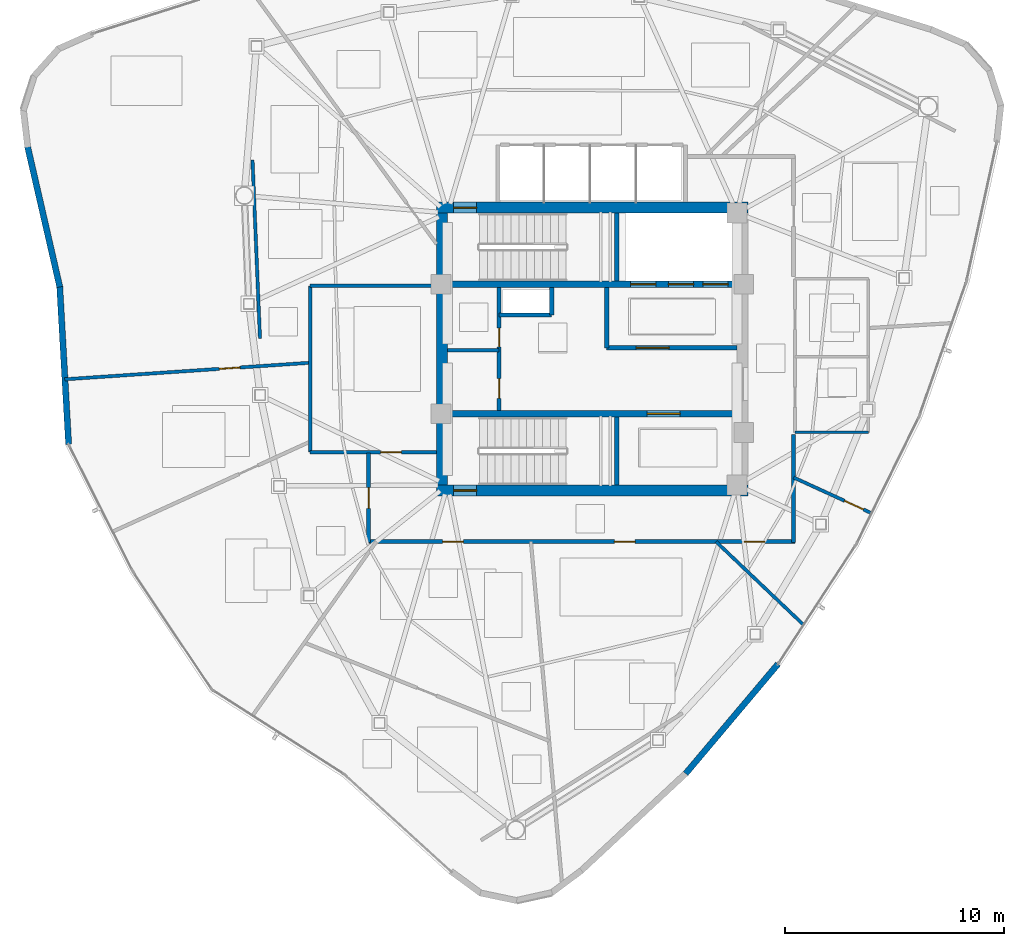
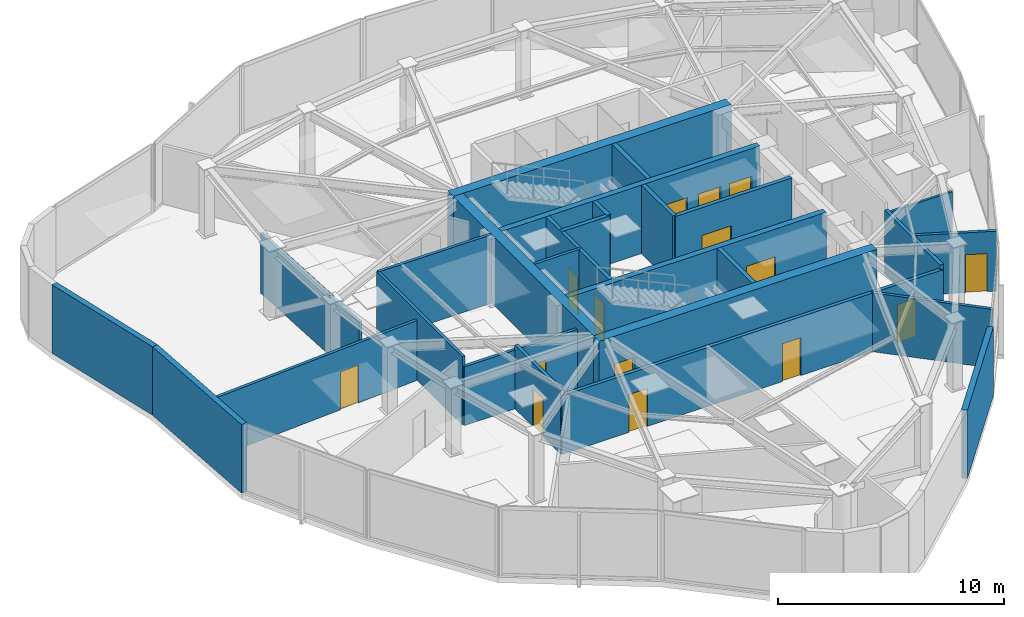
# One storey, part 8 of 13: 27 walls, 16 doors, 16 openings.
"""IFC4 building model written with IfcOpenShell, lengths in metres."""

from ifc_helpers import new_model, si_unit, direction, frame, frame_2d, origin, place, context, subcontext, project, spatial, rectangle, extrude, material, layer, layer_set, type_object, element, fill, save


model = new_model("IFC4")

# Units and contexts
model_context = context("Model", 3, precision=1e-05, world=origin(), true_north=direction((0.0, 1.0)))
body_context = subcontext(model_context, "Body", "Model", "MODEL_VIEW")
ifc_project = project(units=[si_unit("LENGTHUNIT", "METRE"), si_unit("AREAUNIT", "SQUARE_METRE"), si_unit("VOLUMEUNIT", "CUBIC_METRE"), si_unit("PLANEANGLEUNIT", "RADIAN"), si_unit("MASSUNIT", "GRAM", prefix="KILO")], contexts=[model_context])

# Site, building, storey
site_placement = place(None, origin())
site = spatial("IfcSite", under=ifc_project, at=site_placement, CompositionType="ELEMENT")
building_placement = place(site_placement, origin())
building = spatial("IfcBuilding", under=site, at=building_placement, Name="Tavelor Broadcast Tower", CompositionType="ELEMENT")
storey_placement = place(building_placement, frame((0.0, 0.0, 297.5)))
storey = spatial("IfcBuildingStorey", under=building, at=storey_placement, Name="L71", CompositionType="ELEMENT", Elevation=297.5)

# Wall, opening, door
ifc_material_1 = material(Name="Concrete C50/60", Category="concrete")
ifc_layer_1 = layer(ifc_material_1, 0.5)
ifc_layer_set_1 = layer_set([ifc_layer_1], Name="Concrete C50/60")
wall_type_1 = type_object("IfcWallType", Name="Core Shear Wall 500 mm", PredefinedType="SHEAR", material=ifc_layer_set_1)
wall_1_placement = place(storey_placement, frame((42.89990234375, 51.449951171875, 0.0), z_axis=(0.0, 0.0, 1.0), x_axis=(1.0, 0.0, 0.0)))
wall_1 = element("IfcWall", 1, at=wall_1_placement, inside=storey, type_object=wall_type_1, Name="L71 Central Core Shear Wall N", PredefinedType="SHEAR", context=body_context, shape_type="SweptSolid", body=[
    extrude(rectangle(XDim=14.2001953125, YDim=0.5, at=frame_2d((7.10009765625, 0.0))), origin(), (0.0, 0.0, 1.0), 3.699951171875),
])
opening_1_placement = place(wall_1_placement, frame((0.780029296875, 0.0, 0.0)))
opening_1 = element("IfcOpeningElement", 2, at=opening_1_placement, cuts=wall_1, Name="Opening DR11", PredefinedType="OPENING", context=body_context, shape_type="SweptSolid", body=[
    extrude(rectangle(XDim=1.050048828125, YDim=2.199951171875, at=frame_2d((0.52490234375, 1.10009765625))), frame((0.0, 0.260009765625, 0.0), z_axis=(0.0, -1.0, 0.0), x_axis=(1.0, 0.0, 0.0)), (0.0, 0.0, 1.0), 0.52001953125),
])
ifc_material_2 = material(Name="Steel S355", Category="steel")
door_type_1 = type_object("IfcDoorType", Name="Stair Core Fire Escape Door 1050x2200", OperationType="NOTDEFINED", PredefinedType="DOOR", material=ifc_material_2)
door_1_placement = place(opening_1_placement, origin())
door_1 = element("IfcDoor", 3, at=door_1_placement, inside=storey, type_object=door_type_1, Name="L71 Stair ST1 Protected Exit Door", OperationType="SINGLE_SWING_LEFT", OverallHeight=2.199951171875, OverallWidth=1.050048828125, PredefinedType="DOOR", context=body_context, shape_type="SweptSolid", body=[
    extrude(rectangle(XDim=1.050048828125, YDim=2.199951171875, at=frame_2d((0.52490234375, 1.10009765625))), frame((0.0, 0.02490234375, 0.0), z_axis=(0.0, -1.0, 0.0), x_axis=(1.0, 0.0, 0.0)), (0.0, 0.0, 1.0), 0.050048828125),
])
fill(opening_1, door_1)

wall_2_placement = place(storey_placement, frame((42.89990234375, 38.550048828125, 0.0), z_axis=(0.0, 0.0, 1.0), x_axis=(1.0, 0.0, 0.0)))
wall_2 = element("IfcWall", 4, at=wall_2_placement, inside=storey, type_object=wall_type_1, Name="L71 Central Core Shear Wall S", PredefinedType="SHEAR", context=body_context, shape_type="SweptSolid", body=[
    extrude(rectangle(XDim=14.2001953125, YDim=0.5, at=frame_2d((7.10009765625, 0.0))), origin(), (0.0, 0.0, 1.0), 3.699951171875),
])
opening_2_placement = place(wall_2_placement, frame((0.780029296875, 0.0, 0.0)))
opening_2 = element("IfcOpeningElement", 5, at=opening_2_placement, cuts=wall_2, Name="Opening DR11", PredefinedType="OPENING", context=body_context, shape_type="SweptSolid", body=[
    extrude(rectangle(XDim=1.050048828125, YDim=2.199951171875, at=frame_2d((0.52490234375, 1.10009765625))), frame((0.0, 0.260009765625, 0.0), z_axis=(0.0, -1.0, 0.0), x_axis=(1.0, 0.0, 0.0)), (0.0, 0.0, 1.0), 0.52001953125),
])
door_2_placement = place(opening_2_placement, origin())
door_2 = element("IfcDoor", 6, at=door_2_placement, inside=storey, type_object=door_type_1, Name="L71 Stair ST2 Protected Exit Door", OperationType="SINGLE_SWING_RIGHT", OverallHeight=2.199951171875, OverallWidth=1.050048828125, PredefinedType="DOOR", context=body_context, shape_type="SweptSolid", body=[
    extrude(rectangle(XDim=1.050048828125, YDim=2.199951171875, at=frame_2d((0.52490234375, 1.10009765625))), frame((0.0, 0.02490234375, 0.0), z_axis=(0.0, -1.0, 0.0), x_axis=(1.0, 0.0, 0.0)), (0.0, 0.0, 1.0), 0.050048828125),
])
fill(opening_2, door_2)

# Wall
wall_3_placement = place(storey_placement, frame((43.14990234375, 38.800048828125, 0.0), z_axis=(0.0, 0.0, 1.0), x_axis=(0.0, 1.0, 0.0)))
element("IfcWall", 7, at=wall_3_placement, inside=storey, type_object=wall_type_1, Name="L71 Central Core Shear Wall W", PredefinedType="SHEAR", context=body_context, shape_type="SweptSolid", body=[
    extrude(rectangle(XDim=12.39990234375, YDim=0.5, at=frame_2d((6.199951171875, 0.0))), origin(), (0.0, 0.0, 1.0), 3.699951171875),
])

# Wall, openings, doors
ifc_layer_2 = layer(ifc_material_1, 0.300048828125)
ifc_layer_set_2 = layer_set([ifc_layer_2], Name="Concrete C50/60")
wall_type_2 = type_object("IfcWallType", Name="Core Spine Shear Wall 300 mm C50", PredefinedType="SHEAR", material=ifc_layer_set_2)
wall_4_placement = place(storey_placement, frame((43.39990234375, 47.949951171875, 0.0), z_axis=(0.0, 0.0, 1.0), x_axis=(1.0, 0.0, 0.0)))
wall_4 = element("IfcWall", 8, at=wall_4_placement, inside=storey, type_object=wall_type_2, Name="L71 Central Core Shear Wall SP1", PredefinedType="SHEAR", context=body_context, shape_type="SweptSolid", body=[
    extrude(rectangle(XDim=13.2001953125, YDim=0.300048828125, at=frame_2d((6.60009765625, 0.0))), origin(), (0.0, 0.0, 1.0), 3.699951171875),
])
opening_3_placement = place(wall_4_placement, frame((8.344970703125, 0.0, 0.0)))
opening_3 = element("IfcOpeningElement", 9, at=opening_3_placement, cuts=wall_4, Name="Opening LD02", PredefinedType="OPENING", context=body_context, shape_type="SweptSolid", body=[
    extrude(rectangle(XDim=1.14990234375, YDim=2.199951171875, at=frame_2d((0.574951171875, 1.10009765625))), frame((0.0, 0.16015625, 0.0), z_axis=(0.0, -1.0, 0.0), x_axis=(1.0, 0.0, 0.0)), (0.0, 0.0, 1.0), 0.320068359375),
])
opening_4_placement = place(wall_4_placement, frame((10.06494140625, 0.0, 0.0)))
opening_4 = element("IfcOpeningElement", 10, at=opening_4_placement, cuts=wall_4, Name="Opening LD02", PredefinedType="OPENING", context=body_context, shape_type="SweptSolid", body=[
    extrude(rectangle(XDim=1.14990234375, YDim=2.199951171875, at=frame_2d((0.574951171875, 1.10009765625))), frame((0.0, 0.16015625, 0.0), z_axis=(0.0, -1.0, 0.0), x_axis=(1.0, 0.0, 0.0)), (0.0, 0.0, 1.0), 0.320068359375),
])
opening_5_placement = place(wall_4_placement, frame((11.64501953125, 0.0, 0.0)))
opening_5 = element("IfcOpeningElement", 11, at=opening_5_placement, cuts=wall_4, Name="Opening LD03", PredefinedType="OPENING", context=body_context, shape_type="SweptSolid", body=[
    extrude(rectangle(XDim=1.14990234375, YDim=2.199951171875, at=frame_2d((0.574951171875, 1.10009765625))), frame((0.0, 0.16015625, 0.0), z_axis=(0.0, -1.0, 0.0), x_axis=(1.0, 0.0, 0.0)), (0.0, 0.0, 1.0), 0.320068359375),
])
ifc_material_3 = material(Name="Reinforced Brushed Stainless Steel", Category="concrete")
door_type_2 = type_object("IfcDoorType", Name="Broadcast Goods Lift Sliding Landing Door 1250x2200", OperationType="NOTDEFINED", PredefinedType="DOOR", material=ifc_material_3)
door_3_placement = place(opening_5_placement, origin())
door_3 = element("IfcDoor", 12, at=door_3_placement, inside=storey, type_object=door_type_2, Name="L71 Lift SVL1 Sliding Landing Door", OperationType="SLIDING_TO_LEFT", OverallHeight=2.199951171875, OverallWidth=1.14990234375, PredefinedType="DOOR", context=body_context, shape_type="SweptSolid", body=[
    extrude(rectangle(XDim=1.14990234375, YDim=2.199951171875, at=frame_2d((0.574951171875, 1.10009765625))), frame((0.0, 0.02490234375, 0.0), z_axis=(0.0, -1.0, 0.0), x_axis=(1.0, 0.0, 0.0)), (0.0, 0.0, 1.0), 0.050048828125),
])
fill(opening_5, door_3)
ifc_material_4 = material(Name="Fire-Rated Stainless Steel", Category="steel")
door_type_3 = type_object("IfcDoorType", Name="Firefighting Lift Sliding Landing Door 1200x2200", OperationType="NOTDEFINED", PredefinedType="DOOR", material=ifc_material_4)
door_4_placement = place(opening_3_placement, origin())
door_4 = element("IfcDoor", 13, at=door_4_placement, inside=storey, type_object=door_type_3, Name="L71 Lift FFL1 Sliding Landing Door", OperationType="SLIDING_TO_LEFT", OverallHeight=2.199951171875, OverallWidth=1.14990234375, PredefinedType="DOOR", context=body_context, shape_type="SweptSolid", body=[
    extrude(rectangle(XDim=1.14990234375, YDim=2.199951171875, at=frame_2d((0.574951171875, 1.10009765625))), frame((0.0, 0.02490234375, 0.0), z_axis=(0.0, -1.0, 0.0), x_axis=(1.0, 0.0, 0.0)), (0.0, 0.0, 1.0), 0.050048828125),
])
fill(opening_3, door_4)
door_5_placement = place(opening_4_placement, origin())
door_5 = element("IfcDoor", 14, at=door_5_placement, inside=storey, type_object=door_type_3, Name="L71 Lift FFL2 Sliding Landing Door", OperationType="SLIDING_TO_LEFT", OverallHeight=2.199951171875, OverallWidth=1.14990234375, PredefinedType="DOOR", context=body_context, shape_type="SweptSolid", body=[
    extrude(rectangle(XDim=1.14990234375, YDim=2.199951171875, at=frame_2d((0.574951171875, 1.10009765625))), frame((0.0, 0.02490234375, 0.0), z_axis=(0.0, -1.0, 0.0), x_axis=(1.0, 0.0, 0.0)), (0.0, 0.0, 1.0), 0.050048828125),
])
fill(opening_4, door_5)

# Wall, opening, door
wall_5_placement = place(storey_placement, frame((43.39990234375, 42.050048828125, 0.0), z_axis=(0.0, 0.0, 1.0), x_axis=(1.0, 0.0, 0.0)))
wall_5 = element("IfcWall", 15, at=wall_5_placement, inside=storey, type_object=wall_type_2, Name="L71 Central Core Shear Wall SP2", PredefinedType="SHEAR", context=body_context, shape_type="SweptSolid", body=[
    extrude(rectangle(XDim=13.2001953125, YDim=0.300048828125, at=frame_2d((6.60009765625, 0.0))), origin(), (0.0, 0.0, 1.0), 3.699951171875),
])
opening_6_placement = place(wall_5_placement, frame((9.10009765625, 0.0, 0.0)))
opening_6 = element("IfcOpeningElement", 16, at=opening_6_placement, cuts=wall_5, Name="Opening DR14", PredefinedType="OPENING", context=body_context, shape_type="SweptSolid", body=[
    extrude(rectangle(XDim=1.5, YDim=2.199951171875, at=frame_2d((0.75, 1.10009765625))), frame((0.0, 0.16015625, 0.0), z_axis=(0.0, -1.0, 0.0), x_axis=(1.0, 0.0, 0.0)), (0.0, 0.0, 1.0), 0.320068359375),
])
door_type_4 = type_object("IfcDoorType", Name="Firefighting Lobby Double Fire Door 1500x2200", OperationType="NOTDEFINED", PredefinedType="DOOR", material=ifc_material_2)
door_6_placement = place(opening_6_placement, origin())
door_6 = element("IfcDoor", 17, at=door_6_placement, inside=storey, type_object=door_type_4, Name="L71 Reclaimed South Core Vestibule Door", OperationType="SINGLE_SWING_RIGHT", OverallHeight=2.199951171875, OverallWidth=1.5, PredefinedType="DOOR", context=body_context, shape_type="SweptSolid", body=[
    extrude(rectangle(XDim=1.5, YDim=2.199951171875, at=frame_2d((0.75, 1.10009765625))), frame((0.0, 0.02490234375, 0.0), z_axis=(0.0, -1.0, 0.0), x_axis=(1.0, 0.0, 0.0)), (0.0, 0.0, 1.0), 0.050048828125),
])
fill(opening_6, door_6)

# Wall, openings, doors
ifc_material_5 = material(Name="Calcium Silicate Fire Board 180 mm", Category="gypsum")
ifc_layer_3 = layer(ifc_material_5, 0.179931640625)
ifc_layer_set_3 = layer_set([ifc_layer_3], Name="Calcium Silicate Fire Board 180 mm")
wall_type_3 = type_object("IfcWallType", Name="Fire-Rated Corridor Partition Wall 180 mm", PredefinedType="PARTITIONING", material=ifc_layer_set_3)
wall_6_placement = place(storey_placement, frame((45.75, 42.199951171875, 0.0), z_axis=(0.0, 0.0, 1.0), x_axis=(0.0, 1.0, 0.0)))
wall_6 = element("IfcWall", 18, at=wall_6_placement, inside=storey, type_object=wall_type_3, Name="L71 Core West Service East Wall", PredefinedType="PARTITIONING", context=body_context, shape_type="SweptSolid", body=[
    extrude(rectangle(XDim=5.60009765625, YDim=0.179931640625, at=frame_2d((2.800048828125, 0.0))), origin(), (0.0, 0.0, 1.0), 3.699951171875),
])
opening_7_placement = place(wall_6_placement, frame((0.550048828125, 0.0, 0.0)))
opening_7 = element("IfcOpeningElement", 19, at=opening_7_placement, cuts=wall_6, Name="Opening DR32", PredefinedType="OPENING", context=body_context, shape_type="SweptSolid", body=[
    extrude(rectangle(XDim=0.89990234375, YDim=2.050048828125, at=frame_2d((0.449951171875, 1.02490234375))), frame((0.0, 0.10009765625, 0.0), z_axis=(0.0, -1.0, 0.0), x_axis=(1.0, 0.0, 0.0)), (0.0, 0.0, 1.0), 0.199951171875),
])
opening_8_placement = place(wall_6_placement, frame((2.89990234375, 0.0, 0.0)))
opening_8 = element("IfcOpeningElement", 20, at=opening_8_placement, cuts=wall_6, Name="Opening DR36", PredefinedType="OPENING", context=body_context, shape_type="SweptSolid", body=[
    extrude(rectangle(XDim=0.85009765625, YDim=2.050048828125, at=frame_2d((0.425048828125, 1.02490234375))), frame((0.0, 0.10009765625, 0.0), z_axis=(0.0, -1.0, 0.0), x_axis=(1.0, 0.0, 0.0)), (0.0, 0.0, 1.0), 0.199951171875),
])
ifc_material_6 = material(Name="Timber Solid Core Hardwood", Category="wood")
door_type_5 = type_object("IfcDoorType", Name="Accessible Washroom Door 900x2050", OperationType="NOTDEFINED", PredefinedType="DOOR", material=ifc_material_6)
door_7_placement = place(opening_7_placement, origin())
door_7 = element("IfcDoor", 21, at=door_7_placement, inside=storey, type_object=door_type_5, Name="L71 Core Accessible WC Door", OperationType="SINGLE_SWING_LEFT", OverallHeight=2.050048828125, OverallWidth=0.89990234375, PredefinedType="DOOR", context=body_context, shape_type="SweptSolid", body=[
    extrude(rectangle(XDim=0.89990234375, YDim=2.050048828125, at=frame_2d((0.449951171875, 1.02490234375))), frame((0.0, 0.02490234375, 0.0), z_axis=(0.0, -1.0, 0.0), x_axis=(1.0, 0.0, 0.0)), (0.0, 0.0, 1.0), 0.050048828125),
])
fill(opening_7, door_7)
door_type_6 = type_object("IfcDoorType", Name="Service Room Fire Door 850x2050", OperationType="NOTDEFINED", PredefinedType="DOOR", material=ifc_material_2)
door_8_placement = place(opening_8_placement, origin())
door_8 = element("IfcDoor", 22, at=door_8_placement, inside=storey, type_object=door_type_6, Name="L71 Core Cleaner Store Door", OperationType="SINGLE_SWING_RIGHT", OverallHeight=2.050048828125, OverallWidth=0.85009765625, PredefinedType="DOOR", context=body_context, shape_type="SweptSolid", body=[
    extrude(rectangle(XDim=0.85009765625, YDim=2.050048828125, at=frame_2d((0.425048828125, 1.02490234375))), frame((0.0, 0.02490234375, 0.0), z_axis=(0.0, -1.0, 0.0), x_axis=(1.0, 0.0, 0.0)), (0.0, 0.0, 1.0), 0.050048828125),
])
fill(opening_8, door_8)

# Wall
wall_7_placement = place(storey_placement, frame((59.179931640625, 41.10009765625, 0.0), z_axis=(0.0, 0.0, 1.0), x_axis=(0.0, -1.0, 0.0)))
element("IfcWall", 23, at=wall_7_placement, inside=storey, type_object=wall_type_3, Name="L71 Corridor Compartment Wall 03", PredefinedType="PARTITIONING", context=body_context, shape_type="SweptSolid", body=[
    extrude(rectangle(XDim=4.93017578125, YDim=0.179931640625, at=frame_2d((2.465087890625, 0.0))), origin(), (0.0, 0.0, 1.0), 3.43505859375),
])

# Wall, openings, doors
wall_8_placement = place(storey_placement, frame((59.22998046875, 36.219970703125, 0.0), z_axis=(0.0, 0.0, 1.0), x_axis=(-1.0, 0.0, 0.0)))
wall_8 = element("IfcWall", 24, at=wall_8_placement, inside=storey, type_object=wall_type_3, Name="L71 Corridor Compartment Wall 04", PredefinedType="PARTITIONING", context=body_context, shape_type="SweptSolid", body=[
    extrude(rectangle(XDim=19.47998046875, YDim=0.179931640625, at=frame_2d((9.739990234375, 0.0))), origin(), (0.0, 0.0, 1.0), 3.175048828125),
])
opening_9_placement = place(wall_8_placement, frame((1.3623046875, 0.0, 0.0)))
opening_9 = element("IfcOpeningElement", 25, at=opening_9_placement, cuts=wall_8, Name="Opening DR18", PredefinedType="OPENING", context=body_context, shape_type="SweptSolid", body=[
    extrude(rectangle(XDim=0.949951171875, YDim=2.050048828125, at=frame_2d((0.47509765625, 1.02490234375))), frame((0.0, 0.10009765625, 0.0), z_axis=(0.0, -1.0, 0.0), x_axis=(1.0, 0.0, 0.0)), (0.0, 0.0, 1.0), 0.199951171875),
])
opening_10_placement = place(wall_8_placement, frame((7.275634765625, 0.0, 0.0)))
opening_10 = element("IfcOpeningElement", 26, at=opening_10_placement, cuts=wall_8, Name="Opening DR18", PredefinedType="OPENING", context=body_context, shape_type="SweptSolid", body=[
    extrude(rectangle(XDim=0.949951171875, YDim=2.050048828125, at=frame_2d((0.47509765625, 1.02490234375))), frame((0.0, 0.10009765625, 0.0), z_axis=(0.0, -1.0, 0.0), x_axis=(1.0, 0.0, 0.0)), (0.0, 0.0, 1.0), 0.199951171875),
])
opening_11_placement = place(wall_8_placement, frame((15.106689453125, 0.0, 0.0)))
opening_11 = element("IfcOpeningElement", 27, at=opening_11_placement, cuts=wall_8, Name="Opening DR18", PredefinedType="OPENING", context=body_context, shape_type="SweptSolid", body=[
    extrude(rectangle(XDim=0.949951171875, YDim=2.050048828125, at=frame_2d((0.47509765625, 1.02490234375))), frame((0.0, 0.10009765625, 0.0), z_axis=(0.0, -1.0, 0.0), x_axis=(1.0, 0.0, 0.0)), (0.0, 0.0, 1.0), 0.199951171875),
])
door_type_7 = type_object("IfcDoorType", Name="Corridor Rated Compartment Door 950x2050", OperationType="NOTDEFINED", PredefinedType="DOOR", material=ifc_material_6)
door_9_placement = place(opening_9_placement, origin())
door_9 = element("IfcDoor", 28, at=door_9_placement, inside=storey, type_object=door_type_7, Name="L71 Audio Dubbing Studio Door R0", OperationType="SINGLE_SWING_RIGHT", OverallHeight=2.050048828125, OverallWidth=0.949951171875, PredefinedType="DOOR", context=body_context, shape_type="SweptSolid", body=[
    extrude(rectangle(XDim=0.949951171875, YDim=2.050048828125, at=frame_2d((0.47509765625, 1.02490234375))), frame((0.0, 0.02490234375, 0.0), z_axis=(0.0, -1.0, 0.0), x_axis=(1.0, 0.0, 0.0)), (0.0, 0.0, 1.0), 0.050048828125),
])
fill(opening_9, door_9)
door_10_placement = place(opening_10_placement, origin())
door_10 = element("IfcDoor", 29, at=door_10_placement, inside=storey, type_object=door_type_7, Name="L71 Podcast Recording Studio Door R1", OperationType="SINGLE_SWING_LEFT", OverallHeight=2.050048828125, OverallWidth=0.949951171875, PredefinedType="DOOR", context=body_context, shape_type="SweptSolid", body=[
    extrude(rectangle(XDim=0.949951171875, YDim=2.050048828125, at=frame_2d((0.47509765625, 1.02490234375))), frame((0.0, 0.02490234375, 0.0), z_axis=(0.0, -1.0, 0.0), x_axis=(1.0, 0.0, 0.0)), (0.0, 0.0, 1.0), 0.050048828125),
])
fill(opening_10, door_10)
door_11_placement = place(opening_11_placement, origin())
door_11 = element("IfcDoor", 30, at=door_11_placement, inside=storey, type_object=door_type_7, Name="L71 Broadcast Crew Room Door R9", OperationType="SINGLE_SWING_RIGHT", OverallHeight=2.050048828125, OverallWidth=0.949951171875, PredefinedType="DOOR", context=body_context, shape_type="SweptSolid", body=[
    extrude(rectangle(XDim=0.949951171875, YDim=2.050048828125, at=frame_2d((0.47509765625, 1.02490234375))), frame((0.0, 0.02490234375, 0.0), z_axis=(0.0, -1.0, 0.0), x_axis=(1.0, 0.0, 0.0)), (0.0, 0.0, 1.0), 0.050048828125),
])
fill(opening_11, door_11)

# Wall, opening, door
wall_9_placement = place(storey_placement, frame((39.800048828125, 36.169921875, 0.0), z_axis=(0.0, 0.0, 1.0), x_axis=(0.0, 1.0, 0.0)))
wall_9 = element("IfcWall", 31, at=wall_9_placement, inside=storey, type_object=wall_type_3, Name="L71 Corridor Compartment Wall 05", PredefinedType="PARTITIONING", context=body_context, shape_type="SweptSolid", body=[
    extrude(rectangle(XDim=4.080078125, YDim=0.179931640625, at=frame_2d((2.0400390625, 0.0))), origin(), (0.0, 0.0, 1.0), 3.43505859375),
])
opening_12_placement = place(wall_9_placement, frame((1.56494140625, 0.0, 0.0)))
opening_12 = element("IfcOpeningElement", 32, at=opening_12_placement, cuts=wall_9, Name="Opening DR18", PredefinedType="OPENING", context=body_context, shape_type="SweptSolid", body=[
    extrude(rectangle(XDim=0.949951171875, YDim=2.050048828125, at=frame_2d((0.47509765625, 1.02490234375))), frame((0.0, 0.10009765625, 0.0), z_axis=(0.0, -1.0, 0.0), x_axis=(1.0, 0.0, 0.0)), (0.0, 0.0, 1.0), 0.199951171875),
])
door_12_placement = place(opening_12_placement, origin())
door_12 = element("IfcDoor", 33, at=door_12_placement, inside=storey, type_object=door_type_7, Name="L71 Sound Foley Studio Door R3", OperationType="SINGLE_SWING_LEFT", OverallHeight=2.050048828125, OverallWidth=0.949951171875, PredefinedType="DOOR", context=body_context, shape_type="SweptSolid", body=[
    extrude(rectangle(XDim=0.949951171875, YDim=2.050048828125, at=frame_2d((0.47509765625, 1.02490234375))), frame((0.0, 0.02490234375, 0.0), z_axis=(0.0, -1.0, 0.0), x_axis=(1.0, 0.0, 0.0)), (0.0, 0.0, 1.0), 0.050048828125),
])
fill(opening_12, door_12)

# Walls
ifc_material_7 = material(Name="Precast Concrete C40/50", Category="concrete")
ifc_layer_4 = layer(ifc_material_7, 0.280029296875)
ifc_layer_set_4 = layer_set([ifc_layer_4], Name="Precast Concrete C40/50")
wall_type_4 = type_object("IfcWallType", Name="Insulated Precast Terracotta Facade Wall 280 mm", PredefinedType="STANDARD", material=ifc_layer_set_4)
wall_10_placement = place(storey_placement, frame((24.253173828125, 54.227783203125, 0.0), z_axis=(0.0, 0.0, 1.0), x_axis=(0.22363450058, -0.974673078601, 0.0)))
element("IfcWall", 34, at=wall_10_placement, inside=storey, type_object=wall_type_4, Name="L71 Rounded Corner Structural Cladding Pier 05", PredefinedType="STANDARD", context=body_context, shape_type="SweptSolid", body=[
    extrude(rectangle(XDim=6.5654296875, YDim=0.280029296875, at=frame_2d((3.28271484375, 0.0))), origin(), (0.0, 0.0, 1.0), 3.699951171875),
])
wall_11_placement = place(storey_placement, frame((25.71728515625, 47.858154296875, 0.0), z_axis=(0.0, 0.0, 1.0), x_axis=(0.056442668845, -0.998405841897, 0.0)))
element("IfcWall", 35, at=wall_11_placement, inside=storey, type_object=wall_type_4, Name="L71 Rounded Corner Structural Cladding Pier 06", PredefinedType="STANDARD", context=body_context, shape_type="SweptSolid", body=[
    extrude(rectangle(XDim=7.21484375, YDim=0.280029296875, at=frame_2d((3.607421875, 0.0))), origin(), (0.0, 0.0, 1.0), 3.699951171875),
])
wall_12_placement = place(storey_placement, frame((54.254150390625, 25.64208984375, 0.0), z_axis=(0.0, 0.0, 1.0), x_axis=(0.644478610534, 0.764622338521, 0.0)))
element("IfcWall", 36, at=wall_12_placement, inside=storey, type_object=wall_type_4, Name="L71 Rounded Corner Structural Cladding Pier 16", PredefinedType="STANDARD", context=body_context, shape_type="SweptSolid", body=[
    extrude(rectangle(XDim=6.533203125, YDim=0.280029296875, at=frame_2d((3.2666015625, 0.0))), origin(), (0.0, 0.0, 1.0), 3.699951171875),
])
ifc_material_8 = material(Name="Gypsum Acoustic Plasterboard 150 mm", Category="gypsum")
ifc_layer_5 = layer(ifc_material_8, 0.14990234375)
ifc_layer_set_5 = layer_set([ifc_layer_5], Name="Gypsum Acoustic Plasterboard 150 mm")
wall_type_5 = type_object("IfcWallType", Name="Interior Acoustic Partition Wall 150 mm", PredefinedType="PARTITIONING", material=ifc_layer_set_5)
wall_13_placement = place(storey_placement, frame((43.39990234375, 44.949951171875, 0.0), z_axis=(0.0, 0.0, 1.0), x_axis=(1.0, 0.0, 0.0)))
element("IfcWall", 37, at=wall_13_placement, inside=storey, type_object=wall_type_5, Name="L71 Core Split Wall A", PredefinedType="PARTITIONING", context=body_context, shape_type="SweptSolid", body=[
    extrude(rectangle(XDim=2.35009765625, YDim=0.14990234375, at=frame_2d((1.175048828125, 0.0))), origin(), (0.0, 0.0, 1.0), 3.699951171875),
])
wall_14_placement = place(storey_placement, frame((34.50732421875, 53.61279296875, 0.0), z_axis=(0.0, 0.0, 1.0), x_axis=(0.041875090182, -0.999122853718, 0.0)))
element("IfcWall", 38, at=wall_14_placement, inside=storey, type_object=wall_type_5, Name="L71 Corner Tube Brace Furring Wall 1", PredefinedType="PARTITIONING", context=body_context, shape_type="SweptSolid", body=[
    extrude(rectangle(XDim=8.138916015625, YDim=0.14990234375, at=frame_2d((4.0693359375, 0.0))), origin(), (0.0, 0.0, 1.0), 3.235107421875),
])

# Wall, opening, door
wall_15_placement = place(storey_placement, frame((37.139892578125, 40.300048828125, 0.0), z_axis=(0.0, 0.0, 1.0), x_axis=(1.0, 0.0, 0.0)))
wall_15 = element("IfcWall", 39, at=wall_15_placement, inside=storey, type_object=wall_type_5, Name="L71 Reclaimed Shaft Pantry South Wall", PredefinedType="PARTITIONING", context=body_context, shape_type="SweptSolid", body=[
    extrude(rectangle(XDim=5.760009765625, YDim=0.14990234375, at=frame_2d((2.8798828125, 0.0))), origin(), (0.0, 0.0, 1.0), 3.175048828125),
])
opening_13_placement = place(wall_15_placement, frame((3.2099609375, 0.0, 0.0)))
opening_13 = element("IfcOpeningElement", 40, at=opening_13_placement, cuts=wall_15, Name="Opening DR18", PredefinedType="OPENING", context=body_context, shape_type="SweptSolid", body=[
    extrude(rectangle(XDim=0.949951171875, YDim=2.050048828125, at=frame_2d((0.47509765625, 1.02490234375))), frame((0.0, 0.0849609375, 0.0), z_axis=(0.0, -1.0, 0.0), x_axis=(1.0, 0.0, 0.0)), (0.0, 0.0, 1.0), 0.169921875),
])
door_13_placement = place(opening_13_placement, origin())
door_13 = element("IfcDoor", 41, at=door_13_placement, inside=storey, type_object=door_type_7, Name="L71 Broadcast IT Patch and Pantry Door", OperationType="SINGLE_SWING_LEFT", OverallHeight=2.050048828125, OverallWidth=0.949951171875, PredefinedType="DOOR", context=body_context, shape_type="SweptSolid", body=[
    extrude(rectangle(XDim=0.949951171875, YDim=2.050048828125, at=frame_2d((0.47509765625, 1.02490234375))), frame((0.0, 0.02490234375, 0.0), z_axis=(0.0, -1.0, 0.0), x_axis=(1.0, 0.0, 0.0)), (0.0, 0.0, 1.0), 0.050048828125),
])
fill(opening_13, door_13)

# Walls
wall_16_placement = place(storey_placement, frame((37.139892578125, 40.300048828125, 0.0), z_axis=(0.0, 0.0, 1.0), x_axis=(0.0, 1.0, 0.0)))
element("IfcWall", 42, at=wall_16_placement, inside=storey, type_object=wall_type_5, Name="L71 Reclaimed Shaft Pantry West Wall", PredefinedType="PARTITIONING", context=body_context, shape_type="SweptSolid", body=[
    extrude(rectangle(XDim=7.579833984375, YDim=0.14990234375, at=frame_2d((3.7900390625, 0.0))), origin(), (0.0, 0.0, 1.0), 3.699951171875),
])
wall_17_placement = place(storey_placement, frame((37.139892578125, 47.8798828125, 0.0), z_axis=(0.0, 0.0, 1.0), x_axis=(1.0, 0.0, 0.0)))
element("IfcWall", 43, at=wall_17_placement, inside=storey, type_object=wall_type_5, Name="L71 Reclaimed Shaft Pantry North Wall", PredefinedType="PARTITIONING", context=body_context, shape_type="SweptSolid", body=[
    extrude(rectangle(XDim=5.760009765625, YDim=0.14990234375, at=frame_2d((2.8798828125, 0.0))), origin(), (0.0, 0.0, 1.0), 3.699951171875),
])
wall_18_placement = place(storey_placement, frame((55.6376953125, 36.219970703125, 0.0), z_axis=(0.0, 0.0, 1.0), x_axis=(0.724833790001, -0.688923781613, 0.0)))
element("IfcWall", 44, at=wall_18_placement, inside=storey, type_object=wall_type_5, Name="L71 Radial Compartment Wall 04", PredefinedType="PARTITIONING", context=body_context, shape_type="SweptSolid", body=[
    extrude(rectangle(XDim=5.5205078125, YDim=0.14990234375, at=frame_2d((2.76025390625, 0.0))), origin(), (0.0, 0.0, 1.0), 3.175048828125),
])

# Wall, opening, door
wall_19_placement = place(storey_placement, frame((59.179931640625, 39.142822265625, 0.0), z_axis=(0.0, 0.0, 1.0), x_axis=(0.909076630741, -0.416628946955, 0.0)))
wall_19 = element("IfcWall", 45, at=wall_19_placement, inside=storey, type_object=wall_type_5, Name="L71 Radial Compartment Wall 05", PredefinedType="PARTITIONING", context=body_context, shape_type="SweptSolid", body=[
    extrude(rectangle(XDim=3.91552734375, YDim=0.14990234375, at=frame_2d((1.957763671875, 0.0))), origin(), (0.0, 0.0, 1.0), 3.235107421875),
])
opening_14_placement = place(wall_19_placement, frame((2.54541015625, 0.0, 0.0)))
opening_14 = element("IfcOpeningElement", 46, at=opening_14_placement, cuts=wall_19, Name="Opening DR18", PredefinedType="OPENING", context=body_context, shape_type="SweptSolid", body=[
    extrude(rectangle(XDim=0.949951171875, YDim=2.050048828125, at=frame_2d((0.47509765625, 1.02490234375))), frame((0.0, 0.0849609375, 0.0), z_axis=(0.0, -1.0, 0.0), x_axis=(1.0, 0.0, 0.0)), (0.0, 0.0, 1.0), 0.169921875),
])
door_14_placement = place(opening_14_placement, origin())
door_14 = element("IfcDoor", 47, at=door_14_placement, inside=storey, type_object=door_type_7, Name="L71 Suite Connecting Door 8", OperationType="SINGLE_SWING_LEFT", OverallHeight=2.050048828125, OverallWidth=0.949951171875, PredefinedType="DOOR", context=body_context, shape_type="SweptSolid", body=[
    extrude(rectangle(XDim=0.949951171875, YDim=2.050048828125, at=frame_2d((0.47509765625, 1.02490234375))), frame((0.0, 0.02490234375, 0.0), z_axis=(0.0, -1.0, 0.0), x_axis=(1.0, 0.0, 0.0)), (0.0, 0.0, 1.0), 0.050048828125),
])
fill(opening_14, door_14)

wall_20_placement = place(storey_placement, frame((37.080078125, 44.370849609375, 0.0), z_axis=(0.0, 0.0, 1.0), x_axis=(-0.997729729575, -0.067345279876, 0.0)))
wall_20 = element("IfcWall", 48, at=wall_20_placement, inside=storey, type_object=wall_type_5, Name="L71 Radial Compartment Wall 10", PredefinedType="PARTITIONING", context=body_context, shape_type="SweptSolid", body=[
    extrude(rectangle(XDim=11.158447265625, YDim=0.14990234375, at=frame_2d((5.5791015625, 0.0))), origin(), (0.0, 0.0, 1.0), 3.235107421875),
])
opening_15_placement = place(wall_20_placement, frame((3.14990234375, 0.0, 0.0)))
opening_15 = element("IfcOpeningElement", 49, at=opening_15_placement, cuts=wall_20, Name="Opening DR18", PredefinedType="OPENING", context=body_context, shape_type="SweptSolid", body=[
    extrude(rectangle(XDim=0.949951171875, YDim=2.050048828125, at=frame_2d((0.47509765625, 1.02490234375))), frame((0.0, 0.0849609375, 0.0), z_axis=(0.0, -1.0, 0.0), x_axis=(1.0, 0.0, 0.0)), (0.0, 0.0, 1.0), 0.169921875),
])
door_15_placement = place(opening_15_placement, origin())
door_15 = element("IfcDoor", 50, at=door_15_placement, inside=storey, type_object=door_type_7, Name="L71 Suite Connecting Door 5", OperationType="SINGLE_SWING_LEFT", OverallHeight=2.050048828125, OverallWidth=0.949951171875, PredefinedType="DOOR", context=body_context, shape_type="SweptSolid", body=[
    extrude(rectangle(XDim=0.949951171875, YDim=2.050048828125, at=frame_2d((0.47509765625, 1.02490234375))), frame((0.0, 0.02490234375, 0.0), z_axis=(0.0, -1.0, 0.0), x_axis=(1.0, 0.0, 0.0)), (0.0, 0.0, 1.0), 0.050048828125),
])
fill(opening_15, door_15)

# Walls
ifc_material_9 = material(Name="Concrete Blockwork 200 mm", Category="masonry")
ifc_layer_6 = layer(ifc_material_9, 0.199951171875)
ifc_layer_set_6 = layer_set([ifc_layer_6], Name="Concrete Blockwork 200 mm")
wall_type_6 = type_object("IfcWallType", Name="Lift and Riser Shaft Enclosure Wall 200 mm", PredefinedType="PARTITIONING", material=ifc_layer_set_6)
wall_21_placement = place(storey_placement, frame((45.75, 46.550048828125, 0.0), z_axis=(0.0, 0.0, 1.0), x_axis=(1.0, 0.0, 0.0)))
element("IfcWall", 51, at=wall_21_placement, inside=storey, type_object=wall_type_6, Name="L71 Riser Shaft South Wall", PredefinedType="PARTITIONING", context=body_context, shape_type="SweptSolid", body=[
    extrude(rectangle(XDim=2.39990234375, YDim=0.199951171875, at=frame_2d((1.199951171875, 0.0))), origin(), (0.0, 0.0, 1.0), 3.699951171875),
])
wall_22_placement = place(storey_placement, frame((48.14990234375, 46.550048828125, 0.0), z_axis=(0.0, 0.0, 1.0), x_axis=(0.0, 1.0, 0.0)))
element("IfcWall", 52, at=wall_22_placement, inside=storey, type_object=wall_type_6, Name="L71 Riser Shaft East Wall", PredefinedType="PARTITIONING", context=body_context, shape_type="SweptSolid", body=[
    extrude(rectangle(XDim=1.25, YDim=0.199951171875, at=frame_2d((0.625, 0.0))), origin(), (0.0, 0.0, 1.0), 3.699951171875),
])

# Wall, opening, door
wall_23_placement = place(storey_placement, frame((50.64990234375, 45.050048828125, 0.0), z_axis=(0.0, 0.0, 1.0), x_axis=(1.0, 0.0, 0.0)))
wall_23 = element("IfcWall", 53, at=wall_23_placement, inside=storey, type_object=wall_type_6, Name="L71 Firefighting Lobby South Wall", PredefinedType="PARTITIONING", context=body_context, shape_type="SweptSolid", body=[
    extrude(rectangle(XDim=5.9501953125, YDim=0.199951171875, at=frame_2d((2.97509765625, 0.0))), origin(), (0.0, 0.0, 1.0), 3.699951171875),
])
opening_16_placement = place(wall_23_placement, frame((1.35009765625, 0.0, 0.0)))
opening_16 = element("IfcOpeningElement", 54, at=opening_16_placement, cuts=wall_23, Name="Opening DR14", PredefinedType="OPENING", context=body_context, shape_type="SweptSolid", body=[
    extrude(rectangle(XDim=1.5, YDim=2.199951171875, at=frame_2d((0.75, 1.10009765625))), frame((0.0, 0.10986328125, 0.0), z_axis=(0.0, -1.0, 0.0), x_axis=(1.0, 0.0, 0.0)), (0.0, 0.0, 1.0), 0.219970703125),
])
door_16_placement = place(opening_16_placement, origin())
door_16 = element("IfcDoor", 55, at=door_16_placement, inside=storey, type_object=door_type_4, Name="L71 Firefighting Lobby Compartment Door", OperationType="SINGLE_SWING_LEFT", OverallHeight=2.199951171875, OverallWidth=1.5, PredefinedType="DOOR", context=body_context, shape_type="SweptSolid", body=[
    extrude(rectangle(XDim=1.5, YDim=2.199951171875, at=frame_2d((0.75, 1.10009765625))), frame((0.0, 0.02490234375, 0.0), z_axis=(0.0, -1.0, 0.0), x_axis=(1.0, 0.0, 0.0)), (0.0, 0.0, 1.0), 0.050048828125),
])
fill(opening_16, door_16)

# Walls
wall_24_placement = place(storey_placement, frame((50.64990234375, 45.050048828125, 0.0), z_axis=(0.0, 0.0, 1.0), x_axis=(0.0, 1.0, 0.0)))
element("IfcWall", 56, at=wall_24_placement, inside=storey, type_object=wall_type_6, Name="L71 Firefighting Lobby West Wall", PredefinedType="PARTITIONING", context=body_context, shape_type="SweptSolid", body=[
    extrude(rectangle(XDim=2.75, YDim=0.199951171875, at=frame_2d((1.375, 0.0))), origin(), (0.0, 0.0, 1.0), 3.699951171875),
])
ifc_material_10 = material(Name="Moisture-Resistant Plasterboard 120 mm", Category="gypsum")
ifc_layer_7 = layer(ifc_material_10, 0.1201171875)
ifc_layer_set_7 = layer_set([ifc_layer_7], Name="Moisture-Resistant Plasterboard 120 mm")
wall_type_7 = type_object("IfcWallType", Name="Moisture-Resistant Wet-Room Partition 120 mm", PredefinedType="PARTITIONING", material=ifc_layer_set_7)
wall_25_placement = place(storey_placement, frame((59.239990234375, 41.199951171875, 0.0), z_axis=(0.0, 0.0, 1.0), x_axis=(1.0, 0.0, 0.0)))
element("IfcWall", 57, at=wall_25_placement, inside=storey, type_object=wall_type_7, Name="L71 Floor Washrooms South Wall", PredefinedType="PARTITIONING", context=body_context, shape_type="SweptSolid", body=[
    extrude(rectangle(XDim=3.340087890625, YDim=0.1201171875, at=frame_2d((1.669921875, 0.0))), origin(), (0.0, 0.0, 1.0), 3.175048828125),
])
ifc_material_11 = material(Name="Concrete C40/50", Category="concrete")
ifc_layer_8 = layer(ifc_material_11, 0.219970703125)
ifc_layer_set_8 = layer_set([ifc_layer_8], Name="Concrete C40/50")
wall_type_8 = type_object("IfcWallType", Name="Structural Stairwell Shear Wall 220 mm", PredefinedType="SHEAR", material=ifc_layer_set_8)
for number, where, z_axis, x_axis, name in (
    (58, (51.110107421875, 48.10009765625, 0.0), (0.0, 0.0, 1.0), (0.0, 1.0, 0.0), "L71 Stair ST1 Structural Shaft Wall"),
    (59, (51.110107421875, 38.800048828125, 0.0), (0.0, 0.0, 1.0), (0.0, 1.0, 0.0), "L71 Stair ST2 Structural Shaft Wall"),
):
    element("IfcWall", number, at=place(storey_placement, frame(where, z_axis=z_axis, x_axis=x_axis)), inside=storey, type_object=wall_type_8, Name=name, PredefinedType="SHEAR", context=body_context, shape_type="SweptSolid", body=[
        extrude(rectangle(XDim=3.099853515625, YDim=0.219970703125, at=frame_2d((1.5498046875, 0.0))), origin(), (0.0, 0.0, 1.0), 3.699951171875),
    ])

save(model, "model.ifc")
